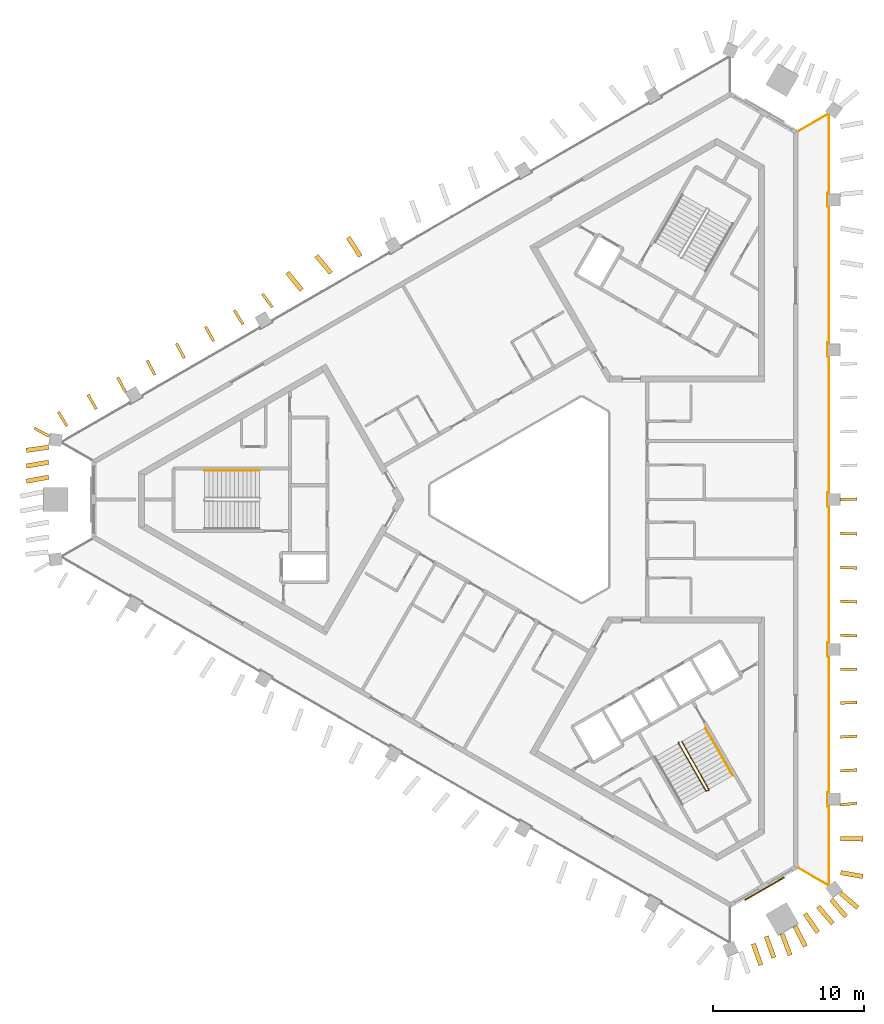
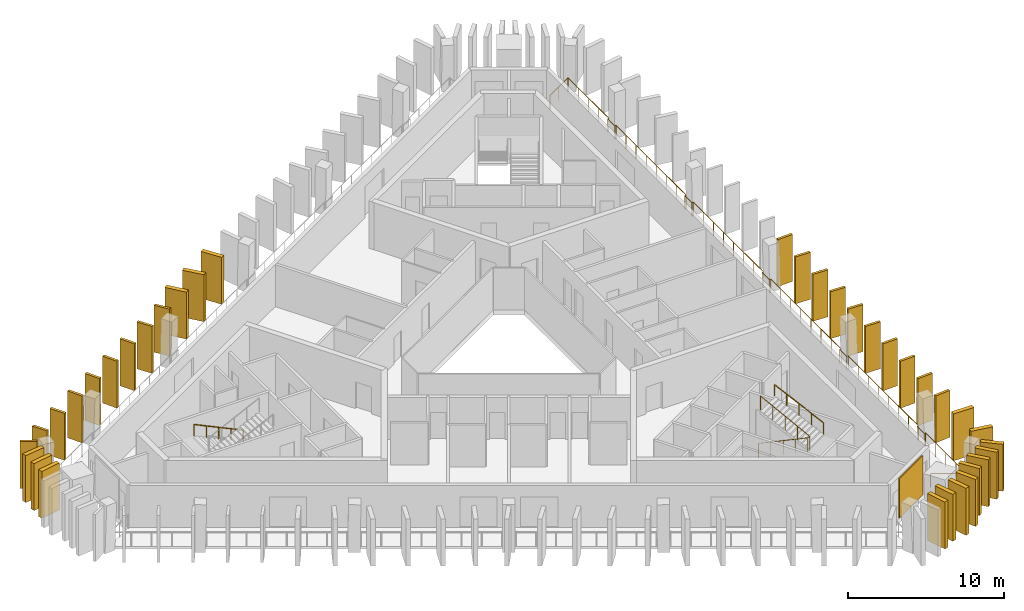
# One storey, part 8 of 10: 35 shading devices, 4 railings, 1 covering.
"""IFC4 building model written with IfcOpenShell, lengths in metres."""

from ifc_helpers import new_model, si_unit, direction, frame, frame_2d, origin, origin_2d, place, context, subcontext, project, spatial, rectangle, circle, extrude, material, layer, layer_set, type_object, element, save


model = new_model("IFC4")

# Units and contexts
model_context = context("Model", 3, precision=1e-05, world=origin(), true_north=direction((0.0, 1.0)))
body_context = subcontext(model_context, "Body", "Model", "MODEL_VIEW")
ifc_project = project(units=[si_unit("LENGTHUNIT", "METRE"), si_unit("AREAUNIT", "SQUARE_METRE"), si_unit("VOLUMEUNIT", "CUBIC_METRE"), si_unit("PLANEANGLEUNIT", "RADIAN"), si_unit("MASSUNIT", "GRAM", prefix="KILO")], contexts=[model_context])

# Site, building, storey
site_placement = place(None, origin())
site = spatial("IfcSite", under=ifc_project, at=site_placement, CompositionType="ELEMENT")
building_placement = place(site_placement, origin())
building = spatial("IfcBuilding", under=site, at=building_placement, Name="Jabali Bay Hotel Tower and Convention Centre", CompositionType="ELEMENT")
storey_placement = place(building_placement, frame((0.0, 0.0, 255.300048828125)))
storey = spatial("IfcBuildingStorey", under=building, at=storey_placement, Name="L62", CompositionType="ELEMENT", Elevation=255.300048828125)

# Railing
ifc_material_1 = material(Name="Glass", Category="glass")
railing_type_1 = type_object("IfcRailingType", Name="Loggia glass guard 1100", PredefinedType="BALUSTRADE", material=ifc_material_1)
railing_1_placement = place(storey_placement, frame((92.1513671875, 104.431884765625, 0.0)))
element("IfcRailing", 1, at=railing_1_placement, inside=storey, type_object=railing_type_1, Name="Loggia glass guard L62", PredefinedType="BALUSTRADE", context=body_context, shape_type="SweptSolid", body=[
    extrude(circle(Radius=0.02490234375, at=origin_2d()), frame((0.0, 0.0, 1.0751953125), z_axis=(0.866035472144, 0.499982560684, 0.0), x_axis=(-0.495705140567, 0.858626418625, 0.13052619222)), (0.0, 0.0, 1.0), 2.27490234375),
    extrude(circle(Radius=0.02490234375, at=origin_2d()), frame((1.97021484375, 1.137451171875, 1.0751953125), z_axis=(0.79528205549, -0.606239599677, 0.0), x_axis=(0.601053135861, 0.788478307258, 0.13052619222)), (0.0, 0.0, 1.0), 0.037353515625),
    extrude(circle(Radius=0.02490234375, at=origin_2d()), frame((2.0, 1.11474609375, 1.0751953125), z_axis=(0.0, -1.0, 0.0), x_axis=(0.991444861374, 0.0, 0.13052619222)), (0.0, 0.0, 1.0), 5.221923828125),
    extrude(circle(Radius=0.02490234375, at=origin_2d()), frame((2.0, -4.107177734375, 1.0751953125), z_axis=(-1.0, 0.0, 0.0), x_axis=(0.0, -0.991444861374, 0.13052619222)), (0.0, 0.0, 1.0), 0.099853515625),
    extrude(circle(Radius=0.02490234375, at=origin_2d()), frame((1.900146484375, -4.107177734375, 1.0751953125), z_axis=(0.0, -1.0, 0.0), x_axis=(0.991444861374, 0.0, 0.13052619222)), (0.0, 0.0, 1.0), 0.900146484375),
    extrude(circle(Radius=0.02490234375, at=origin_2d()), frame((1.900146484375, -5.00732421875, 1.0751953125), z_axis=(1.0, 0.0, 0.0), x_axis=(0.0, 0.991444861374, 0.13052619222)), (0.0, 0.0, 1.0), 0.099853515625),
    extrude(circle(Radius=0.02490234375, at=origin_2d()), frame((2.0, -5.00732421875, 1.0751953125), z_axis=(0.0, -1.0, 0.0), x_axis=(0.991444861374, 0.0, 0.13052619222)), (0.0, 0.0, 1.0), 9.037353515625),
    extrude(circle(Radius=0.02490234375, at=origin_2d()), frame((2.0, -14.044677734375, 1.0751953125), z_axis=(-1.0, 0.0, 0.0), x_axis=(0.0, -0.991444861374, 0.13052619222)), (0.0, 0.0, 1.0), 0.099853515625),
    extrude(circle(Radius=0.02490234375, at=origin_2d()), frame((1.900146484375, -14.044677734375, 1.0751953125), z_axis=(0.0, -1.0, 0.0), x_axis=(0.991444861374, 0.0, 0.13052619222)), (0.0, 0.0, 1.0), 0.89990234375),
    extrude(circle(Radius=0.02490234375, at=origin_2d()), frame((1.900146484375, -14.944580078125, 1.0751953125), z_axis=(1.0, 0.0, 0.0), x_axis=(0.0, 0.991444861374, 0.13052619222)), (0.0, 0.0, 1.0), 0.099853515625),
    extrude(circle(Radius=0.02490234375, at=origin_2d()), frame((2.0, -14.944580078125, 1.0751953125), z_axis=(0.0, -1.0, 0.0), x_axis=(0.991444861374, 0.0, 0.13052619222)), (0.0, 0.0, 1.0), 9.037353515625),
    extrude(circle(Radius=0.02490234375, at=origin_2d()), frame((2.0, -23.98193359375, 1.0751953125), z_axis=(-1.0, 0.0, 0.0), x_axis=(0.0, -0.991444861374, 0.13052619222)), (0.0, 0.0, 1.0), 0.099853515625),
    extrude(circle(Radius=0.02490234375, at=origin_2d()), frame((1.900146484375, -23.98193359375, 1.0751953125), z_axis=(0.0, -1.0, 0.0), x_axis=(0.991444861374, 0.0, 0.13052619222)), (0.0, 0.0, 1.0), 0.89990234375),
    extrude(circle(Radius=0.02490234375, at=origin_2d()), frame((1.900146484375, -24.8818359375, 1.0751953125), z_axis=(1.0, 0.0, 0.0), x_axis=(0.0, 0.991444861374, 0.13052619222)), (0.0, 0.0, 1.0), 0.099853515625),
    extrude(circle(Radius=0.02490234375, at=origin_2d()), frame((2.0, -24.8818359375, 1.0751953125), z_axis=(0.0, -1.0, 0.0), x_axis=(0.991444861374, 0.0, 0.13052619222)), (0.0, 0.0, 1.0), 9.037353515625),
    extrude(circle(Radius=0.02490234375, at=origin_2d()), frame((2.0, -33.919189453125, 1.0751953125), z_axis=(-1.0, 0.0, 0.0), x_axis=(0.0, -0.991444861374, 0.13052619222)), (0.0, 0.0, 1.0), 0.099853515625),
    extrude(circle(Radius=0.02490234375, at=origin_2d()), frame((1.900146484375, -33.919189453125, 1.0751953125), z_axis=(0.0, -1.0, 0.0), x_axis=(0.991444861374, 0.0, 0.13052619222)), (0.0, 0.0, 1.0), 0.89990234375),
    extrude(circle(Radius=0.02490234375, at=origin_2d()), frame((1.900146484375, -34.819091796875, 1.0751953125), z_axis=(1.0, 0.0, 0.0), x_axis=(0.0, 0.991444861374, 0.13052619222)), (0.0, 0.0, 1.0), 0.099853515625),
    extrude(circle(Radius=0.02490234375, at=origin_2d()), frame((2.0, -34.819091796875, 1.0751953125), z_axis=(0.0, -1.0, 0.0), x_axis=(0.991444861374, 0.0, 0.13052619222)), (0.0, 0.0, 1.0), 9.037353515625),
    extrude(circle(Radius=0.02490234375, at=origin_2d()), frame((2.0, -43.8564453125, 1.0751953125), z_axis=(-1.0, 0.0, 0.0), x_axis=(0.0, -0.991444861374, 0.13052619222)), (0.0, 0.0, 1.0), 0.099853515625),
    extrude(circle(Radius=0.02490234375, at=origin_2d()), frame((1.900146484375, -43.8564453125, 1.0751953125), z_axis=(0.0, -1.0, 0.0), x_axis=(0.991444861374, 0.0, 0.13052619222)), (0.0, 0.0, 1.0), 0.900146484375),
    extrude(circle(Radius=0.02490234375, at=origin_2d()), frame((1.900146484375, -44.756591796875, 1.0751953125), z_axis=(1.0, 0.0, 0.0), x_axis=(0.0, 0.991444861374, 0.13052619222)), (0.0, 0.0, 1.0), 0.099853515625),
    extrude(circle(Radius=0.02490234375, at=origin_2d()), frame((2.0, -44.756591796875, 1.0751953125), z_axis=(0.0, -1.0, 0.0), x_axis=(0.991444861374, 0.0, 0.13052619222)), (0.0, 0.0, 1.0), 5.221923828125),
    extrude(circle(Radius=0.02490234375, at=origin_2d()), frame((2.0, -49.978515625, 1.0751953125), z_axis=(-0.79528205549, -0.606239599677, 0.0), x_axis=(0.601053135861, -0.788478307258, 0.13052619222)), (0.0, 0.0, 1.0), 0.037353515625),
    extrude(circle(Radius=0.02490234375, at=origin_2d()), frame((1.97021484375, -50.001220703125, 1.0751953125), z_axis=(-0.866035472144, 0.499982560684, 0.0), x_axis=(-0.495705140567, -0.858626418625, 0.13052619222)), (0.0, 0.0, 1.0), 2.27490234375),
    extrude(circle(Radius=0.02001953125, at=origin_2d()), origin(), (0.0, 0.0, 1.0), 1.050048828125),
    extrude(circle(Radius=0.02001953125, at=origin_2d()), frame((0.985107421875, 0.56884765625, 0.0)), (0.0, 0.0, 1.0), 1.050048828125),
    extrude(circle(Radius=0.02001953125, at=origin_2d()), frame((1.97021484375, 1.137451171875, 0.0)), (0.0, 0.0, 1.0), 1.050048828125),
    extrude(circle(Radius=0.02001953125, at=origin_2d()), frame((2.0, 1.11474609375, 0.0)), (0.0, 0.0, 1.0), 1.050048828125),
    extrude(circle(Radius=0.02001953125, at=origin_2d()), frame((2.0, -0.190673828125, 0.0)), (0.0, 0.0, 1.0), 1.050048828125),
    extrude(circle(Radius=0.02001953125, at=origin_2d()), frame((2.0, -1.49609375, 0.0)), (0.0, 0.0, 1.0), 1.050048828125),
    extrude(circle(Radius=0.02001953125, at=origin_2d()), frame((2.0, -2.8017578125, 0.0)), (0.0, 0.0, 1.0), 1.050048828125),
    extrude(circle(Radius=0.02001953125, at=origin_2d()), frame((2.0, -4.107177734375, 0.0)), (0.0, 0.0, 1.0), 1.050048828125),
    extrude(circle(Radius=0.02001953125, at=origin_2d()), frame((1.900146484375, -4.107177734375, 0.0)), (0.0, 0.0, 1.0), 1.050048828125),
    extrude(circle(Radius=0.02001953125, at=origin_2d()), frame((1.900146484375, -5.00732421875, 0.0)), (0.0, 0.0, 1.0), 1.050048828125),
    extrude(circle(Radius=0.02001953125, at=origin_2d()), frame((2.0, -5.00732421875, 0.0)), (0.0, 0.0, 1.0), 1.050048828125),
    extrude(circle(Radius=0.02001953125, at=origin_2d()), frame((2.0, -6.29833984375, 0.0)), (0.0, 0.0, 1.0), 1.050048828125),
    extrude(circle(Radius=0.02001953125, at=origin_2d()), frame((2.0, -7.58935546875, 0.0)), (0.0, 0.0, 1.0), 1.050048828125),
    extrude(circle(Radius=0.02001953125, at=origin_2d()), frame((2.0, -8.88037109375, 0.0)), (0.0, 0.0, 1.0), 1.050048828125),
    extrude(circle(Radius=0.02001953125, at=origin_2d()), frame((2.0, -10.171630859375, 0.0)), (0.0, 0.0, 1.0), 1.050048828125),
    extrude(circle(Radius=0.02001953125, at=origin_2d()), frame((2.0, -11.462646484375, 0.0)), (0.0, 0.0, 1.0), 1.050048828125),
    extrude(circle(Radius=0.02001953125, at=origin_2d()), frame((2.0, -12.753662109375, 0.0)), (0.0, 0.0, 1.0), 1.050048828125),
    extrude(circle(Radius=0.02001953125, at=origin_2d()), frame((2.0, -14.044677734375, 0.0)), (0.0, 0.0, 1.0), 1.050048828125),
    extrude(circle(Radius=0.02001953125, at=origin_2d()), frame((1.900146484375, -14.044677734375, 0.0)), (0.0, 0.0, 1.0), 1.050048828125),
    extrude(circle(Radius=0.02001953125, at=origin_2d()), frame((1.900146484375, -14.944580078125, 0.0)), (0.0, 0.0, 1.0), 1.050048828125),
    extrude(circle(Radius=0.02001953125, at=origin_2d()), frame((2.0, -14.944580078125, 0.0)), (0.0, 0.0, 1.0), 1.050048828125),
    extrude(circle(Radius=0.02001953125, at=origin_2d()), frame((2.0, -16.235595703125, 0.0)), (0.0, 0.0, 1.0), 1.050048828125),
    extrude(circle(Radius=0.02001953125, at=origin_2d()), frame((2.0, -17.526611328125, 0.0)), (0.0, 0.0, 1.0), 1.050048828125),
    extrude(circle(Radius=0.02001953125, at=origin_2d()), frame((2.0, -18.817626953125, 0.0)), (0.0, 0.0, 1.0), 1.050048828125),
    extrude(circle(Radius=0.02001953125, at=origin_2d()), frame((2.0, -20.10888671875, 0.0)), (0.0, 0.0, 1.0), 1.050048828125),
    extrude(circle(Radius=0.02001953125, at=origin_2d()), frame((2.0, -21.39990234375, 0.0)), (0.0, 0.0, 1.0), 1.050048828125),
    extrude(circle(Radius=0.02001953125, at=origin_2d()), frame((2.0, -22.69091796875, 0.0)), (0.0, 0.0, 1.0), 1.050048828125),
    extrude(circle(Radius=0.02001953125, at=origin_2d()), frame((2.0, -23.98193359375, 0.0)), (0.0, 0.0, 1.0), 1.050048828125),
    extrude(circle(Radius=0.02001953125, at=origin_2d()), frame((1.900146484375, -23.98193359375, 0.0)), (0.0, 0.0, 1.0), 1.050048828125),
    extrude(circle(Radius=0.02001953125, at=origin_2d()), frame((1.900146484375, -24.8818359375, 0.0)), (0.0, 0.0, 1.0), 1.050048828125),
    extrude(circle(Radius=0.02001953125, at=origin_2d()), frame((2.0, -24.8818359375, 0.0)), (0.0, 0.0, 1.0), 1.050048828125),
    extrude(circle(Radius=0.02001953125, at=origin_2d()), frame((2.0, -26.1728515625, 0.0)), (0.0, 0.0, 1.0), 1.050048828125),
    extrude(circle(Radius=0.02001953125, at=origin_2d()), frame((2.0, -27.4638671875, 0.0)), (0.0, 0.0, 1.0), 1.050048828125),
    extrude(circle(Radius=0.02001953125, at=origin_2d()), frame((2.0, -28.7548828125, 0.0)), (0.0, 0.0, 1.0), 1.050048828125),
    extrude(circle(Radius=0.02001953125, at=origin_2d()), frame((2.0, -30.046142578125, 0.0)), (0.0, 0.0, 1.0), 1.050048828125),
    extrude(circle(Radius=0.02001953125, at=origin_2d()), frame((2.0, -31.337158203125, 0.0)), (0.0, 0.0, 1.0), 1.050048828125),
    extrude(circle(Radius=0.02001953125, at=origin_2d()), frame((2.0, -32.628173828125, 0.0)), (0.0, 0.0, 1.0), 1.050048828125),
    extrude(circle(Radius=0.02001953125, at=origin_2d()), frame((2.0, -33.919189453125, 0.0)), (0.0, 0.0, 1.0), 1.050048828125),
    extrude(circle(Radius=0.02001953125, at=origin_2d()), frame((1.900146484375, -33.919189453125, 0.0)), (0.0, 0.0, 1.0), 1.050048828125),
    extrude(circle(Radius=0.02001953125, at=origin_2d()), frame((1.900146484375, -34.819091796875, 0.0)), (0.0, 0.0, 1.0), 1.050048828125),
    extrude(circle(Radius=0.02001953125, at=origin_2d()), frame((2.0, -34.819091796875, 0.0)), (0.0, 0.0, 1.0), 1.050048828125),
    extrude(circle(Radius=0.02001953125, at=origin_2d()), frame((2.0, -36.110107421875, 0.0)), (0.0, 0.0, 1.0), 1.050048828125),
    extrude(circle(Radius=0.02001953125, at=origin_2d()), frame((2.0, -37.401123046875, 0.0)), (0.0, 0.0, 1.0), 1.050048828125),
    extrude(circle(Radius=0.02001953125, at=origin_2d()), frame((2.0, -38.692138671875, 0.0)), (0.0, 0.0, 1.0), 1.050048828125),
    extrude(circle(Radius=0.02001953125, at=origin_2d()), frame((2.0, -39.9833984375, 0.0)), (0.0, 0.0, 1.0), 1.050048828125),
    extrude(circle(Radius=0.02001953125, at=origin_2d()), frame((2.0, -41.2744140625, 0.0)), (0.0, 0.0, 1.0), 1.050048828125),
    extrude(circle(Radius=0.02001953125, at=origin_2d()), frame((2.0, -42.5654296875, 0.0)), (0.0, 0.0, 1.0), 1.050048828125),
    extrude(circle(Radius=0.02001953125, at=origin_2d()), frame((2.0, -43.8564453125, 0.0)), (0.0, 0.0, 1.0), 1.050048828125),
    extrude(circle(Radius=0.02001953125, at=origin_2d()), frame((1.900146484375, -43.8564453125, 0.0)), (0.0, 0.0, 1.0), 1.050048828125),
    extrude(circle(Radius=0.02001953125, at=origin_2d()), frame((1.900146484375, -44.756591796875, 0.0)), (0.0, 0.0, 1.0), 1.050048828125),
    extrude(circle(Radius=0.02001953125, at=origin_2d()), frame((2.0, -44.756591796875, 0.0)), (0.0, 0.0, 1.0), 1.050048828125),
    extrude(circle(Radius=0.02001953125, at=origin_2d()), frame((2.0, -46.06201171875, 0.0)), (0.0, 0.0, 1.0), 1.050048828125),
    extrude(circle(Radius=0.02001953125, at=origin_2d()), frame((2.0, -47.36767578125, 0.0)), (0.0, 0.0, 1.0), 1.050048828125),
    extrude(circle(Radius=0.02001953125, at=origin_2d()), frame((2.0, -48.673095703125, 0.0)), (0.0, 0.0, 1.0), 1.050048828125),
    extrude(circle(Radius=0.02001953125, at=origin_2d()), frame((2.0, -49.978515625, 0.0)), (0.0, 0.0, 1.0), 1.050048828125),
    extrude(circle(Radius=0.02001953125, at=origin_2d()), frame((1.97021484375, -50.001220703125, 0.0)), (0.0, 0.0, 1.0), 1.050048828125),
    extrude(circle(Radius=0.02001953125, at=origin_2d()), frame((0.985107421875, -49.4326171875, 0.0)), (0.0, 0.0, 1.0), 1.050048828125),
    extrude(circle(Radius=0.02001953125, at=origin_2d()), frame((0.0, -48.86376953125, 0.0)), (0.0, 0.0, 1.0), 1.050048828125),
])

# Shading devices
ifc_material_2 = material(Name="Precast concrete C60", Category="concrete")
ifc_layer_1 = layer(ifc_material_2, 0.179931640625)
ifc_layer_set_1 = layer_set([ifc_layer_1], Name="Precast concrete C60")
shading_device_type_1 = type_object("IfcShadingDeviceType", Name="Precast fin 3680 x 1100", PredefinedType="USERDEFINED", material=ifc_layer_set_1)
for number, where, z_axis, x_axis, name in (
    (2, (94.909912109375, 59.7724609375, 0.010009765625), (0.0, 0.0, 1.0), (0.995329399921, 0.09653696521, 0.0), "Fin L62 002"),
    (3, (94.90673828125, 62.02001953125, 0.010009765625), (0.0, 0.0, 1.0), (0.998333554368, 0.057707141871, 0.0), "Fin L62 003"),
    (4, (94.9052734375, 64.267578125, 0.010009765625), (0.0, 0.0, 1.0), (0.999072832584, 0.043052005669, 0.0), "Fin L62 004"),
    (5, (94.90478515625, 66.514892578125, 0.010009765625), (0.0, 0.0, 1.0), (0.999254275178, 0.03861209058, 0.0), "Fin L62 005"),
):
    element("IfcShadingDevice", number, at=place(storey_placement, frame(where, z_axis=z_axis, x_axis=x_axis)), inside=storey, type_object=shading_device_type_1, Name=name, ObjectType="FIN", PredefinedType="USERDEFINED", context=body_context, shape_type="SweptSolid", body=[
        extrude(rectangle(XDim=1.10009765625, YDim=0.179931640625, at=frame_2d((0.550048828125, 0.0))), origin(), (0.0, 0.0, 1.0), 3.679931640625),
    ])
for number, where, z_axis, x_axis, name in (
    (6, (94.902587890625, 68.762451171875, 0.010009765625), (0.0, 0.0, 1.0), (0.999930803031, -0.0117638918, 0.0), "Fin L62 006"),
    (7, (94.90478515625, 71.010009765625, 0.010009765625), (0.0, 0.0, 1.0), (0.99932090172, -0.036847461059, 0.0), "Fin L62 007"),
    (8, (94.90478515625, 73.257568359375, 0.010009765625), (0.0, 0.0, 1.0), (0.999329050774, -0.036625787067, 0.0), "Fin L62 008"),
    (9, (94.90478515625, 75.5048828125, 0.010009765625), (0.0, 0.0, 1.0), (0.999337150788, -0.03640410767, 0.0), "Fin L62 009"),
):
    element("IfcShadingDevice", number, at=place(storey_placement, frame(where, z_axis=z_axis, x_axis=x_axis)), inside=storey, type_object=shading_device_type_1, Name=name, ObjectType="FIN", PredefinedType="USERDEFINED", context=body_context, shape_type="SweptSolid", body=[
        extrude(rectangle(XDim=1.099853515625, YDim=0.179931640625, at=frame_2d((0.5498046875, 0.0))), origin(), (0.0, 0.0, 1.0), 3.679931640625),
    ])
shading_device_1_placement = place(storey_placement, frame((94.903564453125, 77.75244140625, 0.010009765625), z_axis=(0.0, 0.0, 1.0), x_axis=(0.999702030618, -0.024410038483, 0.0)))
element("IfcShadingDevice", 10, at=shading_device_1_placement, inside=storey, type_object=shading_device_type_1, Name="Fin L62 010", ObjectType="FIN", PredefinedType="USERDEFINED", context=body_context, shape_type="SweptSolid", body=[
    extrude(rectangle(XDim=1.10009765625, YDim=0.179931640625, at=frame_2d((0.550048828125, 0.0))), origin(), (0.0, 0.0, 1.0), 3.679931640625),
])
for number, where, z_axis, x_axis, name in (
    (11, (94.904296875, 80.0, 0.010009765625), (0.0, 0.0, 1.0), (0.999481958516, 0.032184073725, 0.0), "Fin L62 011"),
    (12, (57.2587890625, 92.748779296875, 0.010009765625), (0.0, 0.0, 1.0), (-0.592623473637, 0.805479620161, 0.0), "Fin L62 046"),
):
    element("IfcShadingDevice", number, at=place(storey_placement, frame(where, z_axis=z_axis, x_axis=x_axis)), inside=storey, type_object=shading_device_type_1, Name=name, ObjectType="FIN", PredefinedType="USERDEFINED", context=body_context, shape_type="SweptSolid", body=[
        extrude(rectangle(XDim=1.099853515625, YDim=0.179931640625, at=frame_2d((0.5498046875, 0.0))), origin(), (0.0, 0.0, 1.0), 3.679931640625),
    ])
for number, where, z_axis, x_axis, name in (
    (13, (55.315673828125, 91.619140625, 0.010009765625), (0.0, 0.0, 1.0), (-0.530816531172, 0.847486761097, 0.0), "Fin L62 047"),
    (14, (53.3701171875, 90.494140625, 0.010009765625), (0.0, 0.0, 1.0), (-0.483851653235, 0.875150031516, 0.0), "Fin L62 048"),
    (15, (51.4228515625, 89.371826171875, 0.010009765625), (0.0, 0.0, 1.0), (-0.46558179223, 0.885004855774, 0.0), "Fin L62 049"),
):
    element("IfcShadingDevice", number, at=place(storey_placement, frame(where, z_axis=z_axis, x_axis=x_axis)), inside=storey, type_object=shading_device_type_1, Name=name, ObjectType="FIN", PredefinedType="USERDEFINED", context=body_context, shape_type="SweptSolid", body=[
        extrude(rectangle(XDim=1.10009765625, YDim=0.179931640625, at=frame_2d((0.550048828125, 0.0))), origin(), (0.0, 0.0, 1.0), 3.679931640625),
    ])
shading_device_2_placement = place(storey_placement, frame((49.476318359375, 88.248046875, 0.010009765625), z_axis=(0.0, 0.0, 1.0), x_axis=(-0.466990067403, 0.884262561091, 0.0)))
element("IfcShadingDevice", 16, at=shading_device_2_placement, inside=storey, type_object=shading_device_type_1, Name="Fin L62 050", ObjectType="FIN", PredefinedType="USERDEFINED", context=body_context, shape_type="SweptSolid", body=[
    extrude(rectangle(XDim=1.099853515625, YDim=0.179931640625, at=frame_2d((0.5498046875, 0.0))), origin(), (0.0, 0.0, 1.0), 3.679931640625),
])
for number, where, z_axis, x_axis, name in (
    (17, (47.530029296875, 87.1240234375, 0.010009765625), (0.0, 0.0, 1.0), (-0.467602188697, 0.883939021158, 0.0), "Fin L62 051"),
    (18, (45.584716796875, 85.998779296875, 0.010009765625), (0.0, 0.0, 1.0), (-0.486886012677, 0.873465517728, 0.0), "Fin L62 052"),
    (19, (43.638427734375, 84.874755859375, 0.010009765625), (0.0, 0.0, 1.0), (-0.510246433238, 0.860028242192, 0.0), "Fin L62 053"),
):
    element("IfcShadingDevice", number, at=place(storey_placement, frame(where, z_axis=z_axis, x_axis=x_axis)), inside=storey, type_object=shading_device_type_1, Name=name, ObjectType="FIN", PredefinedType="USERDEFINED", context=body_context, shape_type="SweptSolid", body=[
        extrude(rectangle(XDim=1.10009765625, YDim=0.179931640625, at=frame_2d((0.550048828125, 0.0))), origin(), (0.0, 0.0, 1.0), 3.679931640625),
    ])
shading_device_3_placement = place(storey_placement, frame((42.45849609375, 84.20068359375, 0.010009765625), z_axis=(0.0, 0.0, 1.0), x_axis=(-0.877445591612, 0.479676175936, 0.0)))
element("IfcShadingDevice", 20, at=shading_device_3_placement, inside=storey, type_object=shading_device_type_1, Name="Fin L62 096", ObjectType="FIN", PredefinedType="USERDEFINED", context=body_context, shape_type="SweptSolid", body=[
    extrude(rectangle(XDim=1.099853515625, YDim=0.179931640625, at=frame_2d((0.5498046875, 0.0))), origin(), (0.0, 0.0, 1.0), 3.679931640625),
])
ifc_layer_2 = layer(ifc_material_2, 0.300048828125)
ifc_layer_set_2 = layer_set([ifc_layer_2], Name="Precast concrete C60")
shading_device_type_2 = type_object("IfcShadingDeviceType", Name="Precast fin 3680 x 1500", PredefinedType="USERDEFINED", material=ifc_layer_set_2)
shading_device_4_placement = place(storey_placement, frame((94.92724609375, 55.27734375, 0.010009765625), z_axis=(0.0, 0.0, 1.0), x_axis=(0.985116027069, -0.171890701352, 0.0)))
element("IfcShadingDevice", 21, at=shading_device_4_placement, inside=storey, type_object=shading_device_type_2, Name="Fin L62 000", ObjectType="FIN", PredefinedType="USERDEFINED", context=body_context, shape_type="SweptSolid", body=[
    extrude(rectangle(XDim=1.499755859375, YDim=0.300048828125, at=frame_2d((0.75, 0.0))), origin(), (0.0, 0.0, 1.0), 3.679931640625),
])
shading_device_5_placement = place(storey_placement, frame((94.9033203125, 57.52490234375, 0.010009765625), z_axis=(0.0, 0.0, 1.0), x_axis=(0.999917345229, -0.012857010136, 0.0)))
element("IfcShadingDevice", 22, at=shading_device_5_placement, inside=storey, type_object=shading_device_type_2, Name="Fin L62 001", ObjectType="FIN", PredefinedType="USERDEFINED", context=body_context, shape_type="SweptSolid", body=[
    extrude(rectangle(XDim=1.500244140625, YDim=0.300048828125, at=frame_2d((0.75, 0.0))), origin(), (0.0, 0.0, 1.0), 3.679931640625),
])
for number, where, z_axis, x_axis, name in (
    (23, (63.09912109375, 96.117919921875, 0.010009765625), (0.0, 0.0, 1.0), (-0.543419970751, 0.839460979075, 0.0), "Fin L62 043"),
    (24, (61.143310546875, 95.01025390625, 0.010009765625), (0.0, 0.0, 1.0), (-0.64360426991, 0.765358441355, 0.0), "Fin L62 044"),
    (25, (59.198486328125, 93.884033203125, 0.010009765625), (0.0, 0.0, 1.0), (-0.628893846754, 0.777491176487, 0.0), "Fin L62 045"),
    (26, (42.4404296875, 83.469970703125, 0.010009765625), (0.0, 0.0, 1.0), (-0.990473164615, -0.13770588287, 0.0), "Fin L62 054"),
    (27, (42.43994140625, 82.478515625, 0.010009765625), (0.0, 0.0, 1.0), (-0.98506085328, -0.172206606538, 0.0), "Fin L62 055"),
    (28, (42.438720703125, 81.487060546875, 0.010009765625), (0.0, 0.0, 1.0), (-0.98351646372, -0.180818598576, 0.0), "Fin L62 056"),
    (29, (89.13427734375, 50.561767578125, 0.010009765625), (0.0, 0.0, 1.0), (0.335109201498, -0.942179294546, 0.0), "Fin L62 086"),
):
    element("IfcShadingDevice", number, at=place(storey_placement, frame(where, z_axis=z_axis, x_axis=x_axis)), inside=storey, type_object=shading_device_type_2, Name=name, ObjectType="FIN", PredefinedType="USERDEFINED", context=body_context, shape_type="SweptSolid", body=[
        extrude(rectangle(XDim=1.5, YDim=0.300048828125, at=frame_2d((0.75, 0.0))), origin(), (0.0, 0.0, 1.0), 3.679931640625),
    ])
shading_device_6_placement = place(storey_placement, frame((89.992919921875, 51.057373046875, 0.010009765625), z_axis=(0.0, 0.0, 1.0), x_axis=(0.335160595484, -0.942161013434, 0.0)))
element("IfcShadingDevice", 30, at=shading_device_6_placement, inside=storey, type_object=shading_device_type_2, Name="Fin L62 087", ObjectType="FIN", PredefinedType="USERDEFINED", context=body_context, shape_type="SweptSolid", body=[
    extrude(rectangle(XDim=1.499755859375, YDim=0.300048828125, at=frame_2d((0.75, 0.0))), origin(), (0.0, 0.0, 1.0), 3.679931640625),
])
for number, where, z_axis, x_axis, name in (
    (31, (91.050048828125, 51.208984375, 0.010009765625), (0.0, 0.0, 1.0), (0.348607375781, -0.937268850198, 0.0), "Fin L62 088"),
    (32, (91.899658203125, 51.72021484375, 0.010009765625), (0.0, 0.0, 1.0), (0.458506096307, -0.888691262278, 0.0), "Fin L62 089"),
):
    element("IfcShadingDevice", number, at=place(storey_placement, frame(where, z_axis=z_axis, x_axis=x_axis)), inside=storey, type_object=shading_device_type_2, Name=name, ObjectType="FIN", PredefinedType="USERDEFINED", context=body_context, shape_type="SweptSolid", body=[
        extrude(rectangle(XDim=1.5, YDim=0.300048828125, at=frame_2d((0.75, 0.0))), origin(), (0.0, 0.0, 1.0), 3.679931640625),
    ])
for number, where, z_axis, x_axis, name in (
    (33, (92.560791015625, 52.557861328125, 0.010009765625), (0.0, 0.0, 1.0), (0.566846503636, -0.823823428482, 0.0), "Fin L62 090"),
    (34, (93.427001953125, 53.040283203125, 0.010009765625), (0.0, 0.0, 1.0), (0.64837563468, -0.761320587107, 0.0), "Fin L62 091"),
):
    element("IfcShadingDevice", number, at=place(storey_placement, frame(where, z_axis=z_axis, x_axis=x_axis)), inside=storey, type_object=shading_device_type_2, Name=name, ObjectType="FIN", PredefinedType="USERDEFINED", context=body_context, shape_type="SweptSolid", body=[
        extrude(rectangle(XDim=1.500244140625, YDim=0.300048828125, at=frame_2d((0.75, 0.0))), origin(), (0.0, 0.0, 1.0), 3.679931640625),
    ])
for number, where, z_axis, x_axis, name in (
    (35, (94.30810546875, 53.4970703125, 0.010009765625), (0.0, 0.0, 1.0), (0.648281291341, -0.761400924151, 0.0), "Fin L62 092"),
    (36, (94.90869140625, 53.91845703125, 0.010009765625), (0.0, 0.0, 1.0), (0.764163617883, -0.645022453178, 0.0), "Fin L62 093"),
):
    element("IfcShadingDevice", number, at=place(storey_placement, frame(where, z_axis=z_axis, x_axis=x_axis)), inside=storey, type_object=shading_device_type_2, Name=name, ObjectType="FIN", PredefinedType="USERDEFINED", context=body_context, shape_type="SweptSolid", body=[
        extrude(rectangle(XDim=1.5, YDim=0.300048828125, at=frame_2d((0.75, 0.0))), origin(), (0.0, 0.0, 1.0), 3.679931640625),
    ])

# Covering
ifc_material_3 = material(Name="Precast concrete C40/50", Category="concrete")
ifc_layer_3 = layer(ifc_material_3, 0.080078125)
ifc_layer_set_3 = layer_set([ifc_layer_3], Name="Precast concrete C40/50")
covering_type = type_object("IfcCoveringType", Name="Relief panel 3000 x 3100", PredefinedType="CLADDING", material=ifc_layer_set_3)
covering_placement = place(storey_placement, frame((89.88720703125, 54.214599609375, 0.099853515625), z_axis=(0.0, 0.0, 1.0), x_axis=(-0.866025366565, -0.500000064465, 0.0)))
element("IfcCovering", 37, at=covering_placement, inside=storey, type_object=covering_type, Name="Relief panel L62", PredefinedType="CLADDING", context=body_context, shape_type="SweptSolid", body=[
    extrude(rectangle(XDim=3.0, YDim=0.080078125, at=origin_2d()), origin(), (0.0, 0.0, 1.0), 3.10009765625),
])

# Railings
ifc_material_4 = material(Name="Steel Q355B", Category="steel")
railing_type_2 = type_object("IfcRailingType", Name="Stair guard 1100", PredefinedType="GUARDRAIL", material=ifc_material_4)
railing_2_placement = place(storey_placement, frame((84.199951171875, 63.9150390625, 0.0)))
element("IfcRailing", 38, at=railing_2_placement, inside=storey, type_object=railing_type_2, Name="L62 ST3 stair guard 1", PredefinedType="GUARDRAIL", context=body_context, shape_type="SweptSolid", body=[
    extrude(circle(Radius=0.02392578125, at=origin_2d()), frame((0.0, 0.0, 1.076171875), z_axis=(-0.122196845461, -0.456201556387, 0.881446578591), x_axis=(0.965948051503, -0.258736085224, 0.0)), (0.0, 0.0, 1.0), 0.14990234375),
    extrude(circle(Radius=0.02392578125, at=origin_2d()), frame((-0.018310546875, -0.068359375, 1.2080078125), z_axis=(0.452190331055, -0.783190014029, 0.426775475427), x_axis=(0.866018046521, 0.500012742938, 0.0)), (0.0, 0.0, 1.0), 4.02490234375),
    extrude(circle(Radius=0.02392578125, at=origin_2d()), frame((1.8017578125, -3.220703125, 2.92578125), z_axis=(0.96121063429, 0.275815366736, 0.0), x_axis=(-0.275815366736, 0.96121063429, 0.0)), (0.0, 0.0, 1.0), 0.206298828125),
    extrude(circle(Radius=0.02392578125, at=origin_2d()), frame((2.0, -3.163818359375, 2.92578125), z_axis=(-0.436470229993, 0.780146179382, 0.448180406895), x_axis=(-0.872702246529, -0.488252792008, 0.0)), (0.0, 0.0, 1.0), 4.1279296875),
    extrude(circle(Radius=0.02099609375, at=origin_2d()), origin(), (0.0, 0.0, 1.0), 1.052001953125),
    extrude(circle(Radius=0.02099609375, at=origin_2d()), frame((-0.018310546875, -0.068359375, 0.132080078125)), (0.0, 0.0, 1.0), 1.052001953125),
    extrude(circle(Radius=0.02099609375, at=origin_2d()), frame((0.436767578125, -0.8564453125, 0.5615234375)), (0.0, 0.0, 1.0), 1.052001953125),
    extrude(circle(Radius=0.02099609375, at=origin_2d()), frame((0.8916015625, -1.64453125, 0.990966796875)), (0.0, 0.0, 1.0), 1.052001953125),
    extrude(circle(Radius=0.02099609375, at=origin_2d()), frame((1.3466796875, -2.4326171875, 1.42041015625)), (0.0, 0.0, 1.0), 1.052001953125),
    extrude(circle(Radius=0.02099609375, at=origin_2d()), frame((1.8017578125, -3.220703125, 1.849853515625)), (0.0, 0.0, 1.0), 1.052001953125),
    extrude(circle(Radius=0.02099609375, at=origin_2d()), frame((2.0, -3.163818359375, 1.849853515625)), (0.0, 0.0, 1.0), 1.052001953125),
    extrude(circle(Radius=0.02099609375, at=origin_2d()), frame((1.549560546875, -2.358642578125, 2.3125)), (0.0, 0.0, 1.0), 1.052001953125),
    extrude(circle(Radius=0.02099609375, at=origin_2d()), frame((1.09912109375, -1.5537109375, 2.77490234375)), (0.0, 0.0, 1.0), 1.052001953125),
    extrude(circle(Radius=0.02099609375, at=origin_2d()), frame((0.648681640625, -0.74853515625, 3.2373046875)), (0.0, 0.0, 1.0), 1.052001953125),
    extrude(circle(Radius=0.02099609375, at=origin_2d()), frame((0.1982421875, 0.056640625, 3.699951171875)), (0.0, 0.0, 1.0), 1.052001953125),
])
railing_type_3 = type_object("IfcRailingType", Name="Stair handrail 900", PredefinedType="HANDRAIL", material=ifc_material_4)
railing_3_placement = place(storey_placement, frame((56.419921875, 81.925048828125, 0.132080078125)))
element("IfcRailing", 39, at=railing_3_placement, inside=storey, type_object=railing_type_3, Name="L62 ST1 stair handrail 1", PredefinedType="HANDRAIL", context=body_context, shape_type="SweptSolid", body=[
    extrude(circle(Radius=0.02392578125, at=origin_2d()), frame((0.0, 0.0, 0.8759765625), z_axis=(-0.904350763662, 0.0, 0.426789990819), x_axis=(0.0, -1.0, 0.0)), (0.0, 0.0, 1.0), 4.02490234375),
    extrude(circle(Radius=0.02099609375, at=origin_2d()), origin(), (0.0, 0.0, 1.0), 0.851806640625),
    extrude(circle(Radius=0.02099609375, at=origin_2d()), frame((-0.909912109375, 0.0, 0.429443359375)), (0.0, 0.0, 1.0), 0.851806640625),
    extrude(circle(Radius=0.02099609375, at=origin_2d()), frame((-1.81982421875, 0.0, 0.85888671875)), (0.0, 0.0, 1.0), 0.851806640625),
    extrude(circle(Radius=0.02099609375, at=origin_2d()), frame((-2.72998046875, 0.0, 1.288330078125)), (0.0, 0.0, 1.0), 0.851806640625),
    extrude(circle(Radius=0.02099609375, at=origin_2d()), frame((-3.639892578125, 0.0, 1.7177734375)), (0.0, 0.0, 1.0), 0.851806640625),
])
railing_4_placement = place(storey_placement, frame((87.777099609375, 61.719482421875, 1.982177734375)))
element("IfcRailing", 40, at=railing_4_placement, inside=storey, type_object=railing_type_3, Name="L62 ST3 stair handrail 2", PredefinedType="HANDRAIL", context=body_context, shape_type="SweptSolid", body=[
    extrude(circle(Radius=0.02392578125, at=origin_2d()), frame((0.0, 0.0, 0.8759765625), z_axis=(-0.452190331055, 0.783190014029, 0.426775475427), x_axis=(-0.866018046521, -0.500012742938, 0.0)), (0.0, 0.0, 1.0), 4.02490234375),
    extrude(circle(Radius=0.02099609375, at=origin_2d()), origin(), (0.0, 0.0, 1.0), 0.851806640625),
    extrude(circle(Radius=0.02099609375, at=origin_2d()), frame((-0.455078125, 0.7880859375, 0.429443359375)), (0.0, 0.0, 1.0), 0.851806640625),
    extrude(circle(Radius=0.02099609375, at=origin_2d()), frame((-0.91015625, 1.576171875, 0.85888671875)), (0.0, 0.0, 1.0), 0.851806640625),
    extrude(circle(Radius=0.02099609375, at=origin_2d()), frame((-1.364990234375, 2.3642578125, 1.288330078125)), (0.0, 0.0, 1.0), 0.851806640625),
    extrude(circle(Radius=0.02099609375, at=origin_2d()), frame((-1.820068359375, 3.15234375, 1.7177734375)), (0.0, 0.0, 1.0), 0.851806640625),
])

save(model, "model.ifc")
